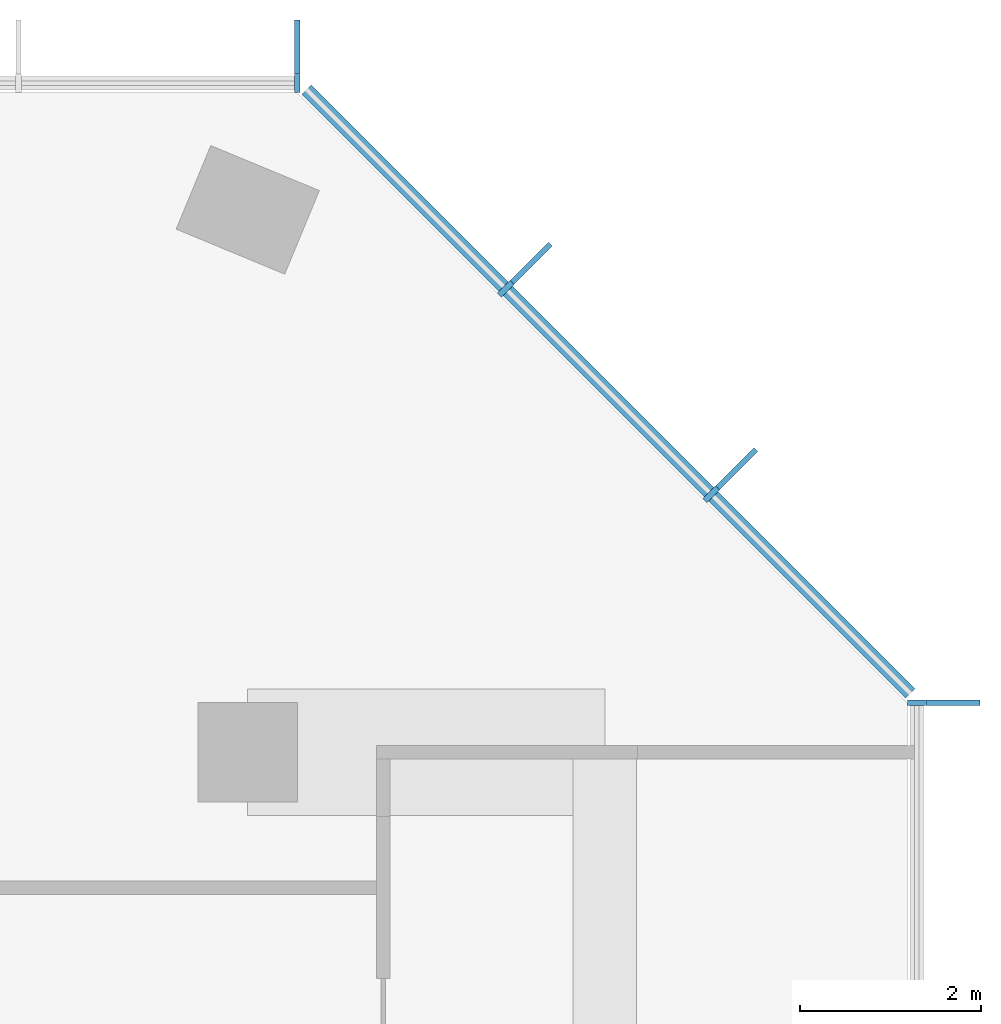
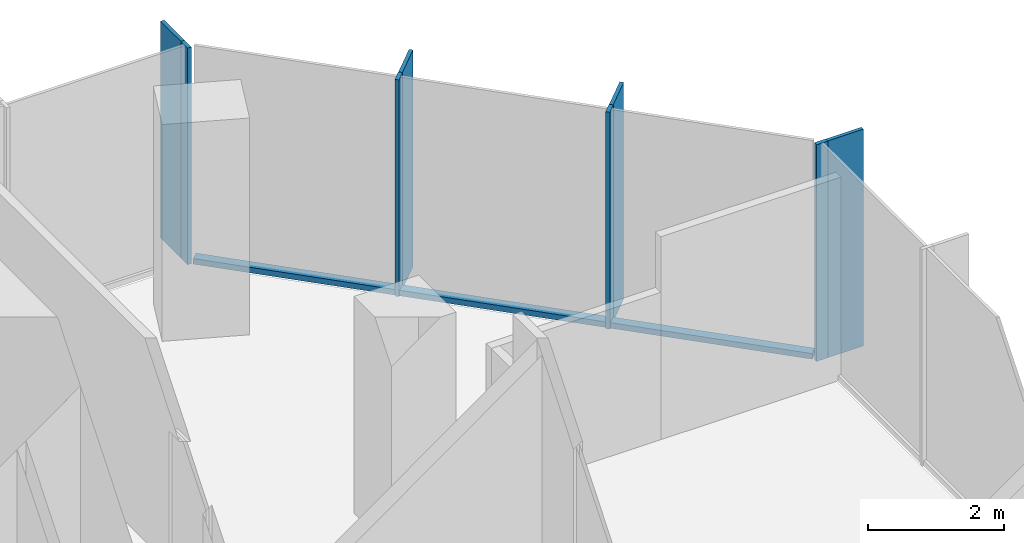
# One storey, part 6 of 11: 11 members, 3 elements without a shape of their own.
"""IFC4 building model written with IfcOpenShell, lengths in metres."""

from ifc_helpers import new_model, si_unit, direction, frame, origin, origin_2d, place, context, subcontext, project, spatial, rectangle, extrude, material, layer, layer_set, material_profile, profile_set, type_object, element, aggregate, save


model = new_model("IFC4")

# Units and contexts
model_context = context("Model", 3, precision=1e-05, world=origin(), true_north=direction((0.0, 1.0)))
body_context = subcontext(model_context, "Body", "Model", "MODEL_VIEW")
ifc_project = project(units=[si_unit("LENGTHUNIT", "METRE"), si_unit("AREAUNIT", "SQUARE_METRE"), si_unit("VOLUMEUNIT", "CUBIC_METRE"), si_unit("PLANEANGLEUNIT", "RADIAN"), si_unit("MASSUNIT", "GRAM", prefix="KILO")], contexts=[model_context])

# Site, building, storey
site_placement = place(None, origin())
site = spatial("IfcSite", under=ifc_project, at=site_placement, CompositionType="ELEMENT")
building_placement = place(site_placement, origin())
building = spatial("IfcBuilding", under=site, at=building_placement, Name="Highveld Stack Headquarters", CompositionType="ELEMENT")
storey_placement = place(building_placement, frame((0.0, 0.0, 280.10009765625)))
storey = spatial("IfcBuildingStorey", under=building, at=storey_placement, Name="L69", CompositionType="ELEMENT", Elevation=280.10009765625)

# Curtain wall, member
ifc_material_1 = material(Name="Aluminium bronze anodised", Category="aluminium")
ifc_layer = layer(ifc_material_1, 0.199951171875)
ifc_layer_set = layer_set([ifc_layer], Name="Aluminium bronze anodised")
curtain_wall_type = type_object("IfcCurtainWallType", Name="CW5 EXECUTIVE UNITISED CURTAIN WALL", PredefinedType="NOTDEFINED", material=ifc_layer_set)
curtain_wall_1_placement = place(storey_placement, origin())
curtain_wall_1 = element("IfcCurtainWall", 1, at=curtain_wall_1_placement, inside=storey, type_object=curtain_wall_type, Name="Curtain wall CW5 L69 E", PredefinedType="NOTDEFINED")
ifc_material_2 = material(Name="Aluminium bronze anodised", Category="aluminium")
ifc_material_profile_1 = material_profile(ifc_material_2, rectangle(XDim=0.60009765625, YDim=0.06005859375, at=origin_2d()), Name="FIN 600x60")
ifc_profile_set_1 = profile_set([ifc_material_profile_1], Name="Aluminium bronze anodised")
member_type_1 = type_object("IfcMemberType", Name="CW5 BRONZE FIN 600x60", PredefinedType="USERDEFINED", material=ifc_profile_set_1)
member_1_placement = place(storey_placement, frame((31.800048828125, 12.54736328125, 0.0), z_axis=(0.0, 0.0, 1.0), x_axis=(-1.0, 0.0, 0.0)))
member_1 = element("IfcMember", 2, at=member_1_placement, type_object=member_type_1, Name="CW5 fin L69 9", ObjectType="FIN", PredefinedType="USERDEFINED", context=body_context, shape_type="SweptSolid", body=[
    extrude(rectangle(XDim=0.60009765625, YDim=0.06005859375, at=origin_2d()), origin(), (0.0, 0.0, 1.0), 3.89990234375),
])

# Curtain wall, members
curtain_wall_2_placement = place(storey_placement, origin())
curtain_wall_2 = element("IfcCurtainWall", 3, at=curtain_wall_2_placement, inside=storey, type_object=curtain_wall_type, Name="Curtain wall CW5 L69 NE", PredefinedType="NOTDEFINED")
member_2_placement = place(storey_placement, frame((29.409423828125, 15.135986328125, 0.0), z_axis=(0.0, 0.0, 1.0), x_axis=(-0.707106781187, -0.707106781187, 0.0)))
member_2 = element("IfcMember", 4, at=member_2_placement, type_object=member_type_1, Name="CW5 fin L69 1", ObjectType="FIN", PredefinedType="USERDEFINED", context=body_context, shape_type="SweptSolid", body=[
    extrude(rectangle(XDim=0.60009765625, YDim=0.06005859375, at=origin_2d()), origin(), (0.0, 0.0, 1.0), 3.89990234375),
])
member_3_placement = place(storey_placement, frame((27.135986328125, 17.409423828125, 0.0), z_axis=(0.0, 0.0, 1.0), x_axis=(-0.707106781187, -0.707106781187, 0.0)))
member_3 = element("IfcMember", 5, at=member_3_placement, type_object=member_type_1, Name="CW5 fin L69 2", ObjectType="FIN", PredefinedType="USERDEFINED", context=body_context, shape_type="SweptSolid", body=[
    extrude(rectangle(XDim=0.60009765625, YDim=0.06005859375, at=origin_2d()), origin(), (0.0, 0.0, 1.0), 3.89990234375),
])

# Curtain wall, member
curtain_wall_3_placement = place(storey_placement, origin())
curtain_wall_3 = element("IfcCurtainWall", 6, at=curtain_wall_3_placement, inside=storey, type_object=curtain_wall_type, Name="Curtain wall CW5 L69 N", PredefinedType="NOTDEFINED")
member_4_placement = place(storey_placement, frame((24.54736328125, 19.800048828125, 0.0), z_axis=(0.0, 0.0, 1.0), x_axis=(0.0, -1.0, 0.0)))
member_4 = element("IfcMember", 7, at=member_4_placement, type_object=member_type_1, Name="CW5 fin L69 1", ObjectType="FIN", PredefinedType="USERDEFINED", context=body_context, shape_type="SweptSolid", body=[
    extrude(rectangle(XDim=0.60009765625, YDim=0.06005859375, at=origin_2d()), origin(), (0.0, 0.0, 1.0), 3.89990234375),
])

# Member
ifc_material_3 = material(Name="Aluminium bronze anodised", Category="aluminium")
ifc_material_profile_2 = material_profile(ifc_material_3, rectangle(XDim=0.199951171875, YDim=0.06494140625, at=origin_2d()), Name="CW5 MULLION 65x200")
ifc_profile_set_2 = profile_set([ifc_material_profile_2], Name="Aluminium bronze anodised")
member_type_2 = type_object("IfcMemberType", Name="CW5 MULLION 65x200", PredefinedType="MULLION", material=ifc_profile_set_2)
member_5_placement = place(storey_placement, frame((31.39990234375, 12.54736328125, 0.0), z_axis=(0.0, 0.0, 1.0), x_axis=(-1.0, 0.0, 0.0)))
member_5 = element("IfcMember", 8, at=member_5_placement, type_object=member_type_2, Name="CW5 mullion L69 9", PredefinedType="MULLION", context=body_context, shape_type="SweptSolid", body=[
    extrude(rectangle(XDim=0.199951171875, YDim=0.06494140625, at=origin_2d()), origin(), (0.0, 0.0, 1.0), 3.89990234375),
])

aggregate(curtain_wall_1, [member_5, member_1])

member_6_placement = place(storey_placement, frame((29.126708984375, 14.853271484375, 0.0), z_axis=(0.0, 0.0, 1.0), x_axis=(-0.707106781187, -0.707106781187, 0.0)))
member_6 = element("IfcMember", 9, at=member_6_placement, type_object=member_type_2, Name="CW5 mullion L69 1", PredefinedType="MULLION", context=body_context, shape_type="SweptSolid", body=[
    extrude(rectangle(XDim=0.199951171875, YDim=0.06494140625, at=origin_2d()), origin(), (0.0, 0.0, 1.0), 3.89990234375),
])

member_7_placement = place(storey_placement, frame((26.853271484375, 17.126708984375, 0.0), z_axis=(0.0, 0.0, 1.0), x_axis=(-0.707106781187, -0.707106781187, 0.0)))
member_7 = element("IfcMember", 10, at=member_7_placement, type_object=member_type_2, Name="CW5 mullion L69 2", PredefinedType="MULLION", context=body_context, shape_type="SweptSolid", body=[
    extrude(rectangle(XDim=0.199951171875, YDim=0.06494140625, at=origin_2d()), origin(), (0.0, 0.0, 1.0), 3.89990234375),
])

member_8_placement = place(storey_placement, frame((24.54736328125, 19.39990234375, 0.0), z_axis=(0.0, 0.0, 1.0), x_axis=(0.0, -1.0, 0.0)))
member_8 = element("IfcMember", 11, at=member_8_placement, type_object=member_type_2, Name="CW5 mullion L69 1", PredefinedType="MULLION", context=body_context, shape_type="SweptSolid", body=[
    extrude(rectangle(XDim=0.199951171875, YDim=0.06494140625, at=origin_2d()), origin(), (0.0, 0.0, 1.0), 3.89990234375),
])

aggregate(curtain_wall_3, [member_8, member_4])

ifc_material_4 = material(Name="Aluminium bronze anodised", Category="aluminium")
ifc_material_profile_3 = material_profile(ifc_material_4, rectangle(XDim=0.14990234375, YDim=0.10009765625, at=origin_2d()), Name="CW5 TRANSOM 150x100")
ifc_profile_set_3 = profile_set([ifc_material_profile_3], Name="Aluminium bronze anodised")
member_type_3 = type_object("IfcMemberType", Name="CW5 STACK TRANSOM 150x100", PredefinedType="USERDEFINED", material=ifc_profile_set_3)
member_9_placement = place(storey_placement, frame((31.329345703125, 12.650634765625, 0.0498046875), z_axis=(-0.707106781187, 0.707106781187, 0.0), x_axis=(-0.707106781187, -0.707106781187, 0.0)))
member_9 = element("IfcMember", 12, at=member_9_placement, type_object=member_type_3, Name="CW5 transom L69 1.1", ObjectType="TRANSOM", PredefinedType="USERDEFINED", context=body_context, shape_type="SweptSolid", body=[
    extrude(rectangle(XDim=0.14990234375, YDim=0.10009765625, at=origin_2d()), origin(), (0.0, 0.0, 1.0), 3.08251953125),
])

member_10_placement = place(storey_placement, frame((29.103759765625, 14.876220703125, 0.0498046875), z_axis=(-0.707106781187, 0.707106781187, 0.0), x_axis=(-0.707106781187, -0.707106781187, 0.0)))
member_10 = element("IfcMember", 13, at=member_10_placement, type_object=member_type_3, Name="CW5 transom L69 2.1", ObjectType="TRANSOM", PredefinedType="USERDEFINED", context=body_context, shape_type="SweptSolid", body=[
    extrude(rectangle(XDim=0.14990234375, YDim=0.10009765625, at=origin_2d()), origin(), (0.0, 0.0, 1.0), 3.150146484375),
])

member_11_placement = place(storey_placement, frame((26.830322265625, 17.149658203125, 0.0498046875), z_axis=(-0.707106781187, 0.707106781187, 0.0), x_axis=(-0.707106781187, -0.707106781187, 0.0)))
member_11 = element("IfcMember", 14, at=member_11_placement, type_object=member_type_3, Name="CW5 transom L69 3.1", ObjectType="TRANSOM", PredefinedType="USERDEFINED", context=body_context, shape_type="SweptSolid", body=[
    extrude(rectangle(XDim=0.14990234375, YDim=0.10009765625, at=origin_2d()), origin(), (0.0, 0.0, 1.0), 3.08251953125),
])

aggregate(curtain_wall_2, [member_6, member_2, member_7, member_3, member_9, member_10, member_11])

save(model, "model.ifc")
